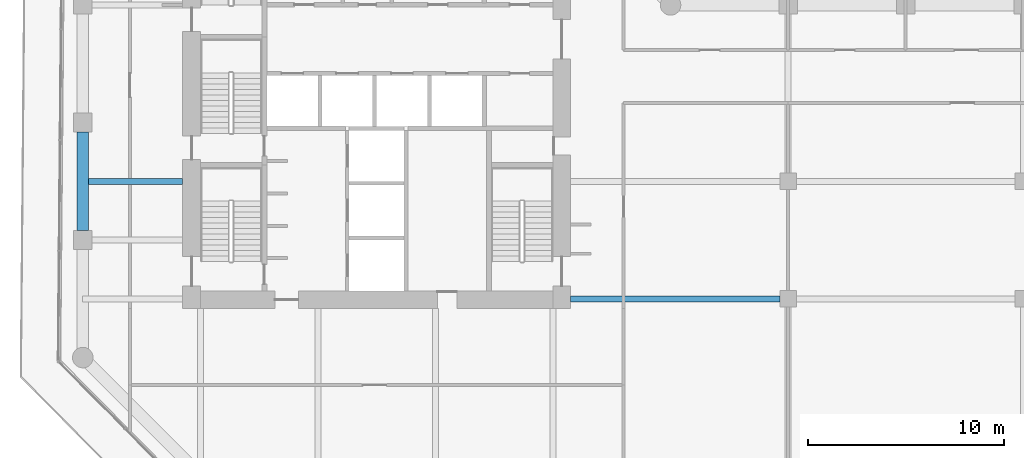
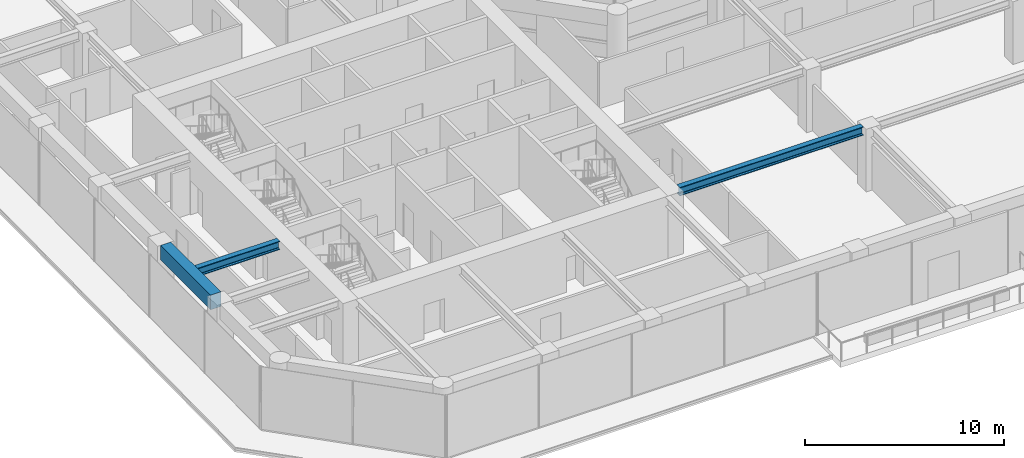
# One storey, part 4 of 29: 3 beams.
"""IFC4 building model written with IfcOpenShell, lengths in metres."""

from ifc_helpers import new_model, si_unit, direction, frame, origin, origin_2d, place, context, subcontext, project, spatial, rectangle, i_section, extrude, material, material_profile, profile_set, type_object, element, save


model = new_model("IFC4")

# Units and contexts
model_context = context("Model", 3, precision=1e-05, world=origin(), true_north=direction((0.0, 1.0)))
body_context = subcontext(model_context, "Body", "Model", "MODEL_VIEW")
ifc_project = project(units=[si_unit("LENGTHUNIT", "METRE"), si_unit("AREAUNIT", "SQUARE_METRE"), si_unit("VOLUMEUNIT", "CUBIC_METRE"), si_unit("PLANEANGLEUNIT", "RADIAN"), si_unit("MASSUNIT", "GRAM", prefix="KILO")], contexts=[model_context])

# Site, building, storey
site_placement = place(None, origin())
site = spatial("IfcSite", under=ifc_project, at=site_placement, CompositionType="ELEMENT")
building_placement = place(site_placement, origin())
building = spatial("IfcBuilding", under=site, at=building_placement, Name="Welwitschia Terrace Campus", CompositionType="ELEMENT")
storey_placement = place(building_placement, frame((0.0, 0.0, 50.0)))
storey = spatial("IfcBuildingStorey", under=building, at=storey_placement, Name="L11", CompositionType="ELEMENT", Elevation=50.0)

# Beams
ifc_material_1 = material(Name="Steel S355", Category="steel")
ifc_material_profile_1 = material_profile(ifc_material_1, i_section(OverallWidth=0.305908203125, OverallDepth=0.52392578125, WebThickness=0.02099609375, FlangeThickness=0.0400390625, FilletRadius=0.027099609375, at=origin_2d()))
ifc_profile_set_1 = profile_set([ifc_material_profile_1], Name="Steel S355")
beam_type_1 = type_object("IfcBeamType", Name="Interior girder HE 500 M", PredefinedType="BEAM", material=ifc_profile_set_1)
beam_1_placement = place(storey_placement, frame((24.90087890625, 5.0, 3.587890625), z_axis=(1.0, 0.0, 0.0), x_axis=(0.0, 1.0, 0.0)))
element("IfcBeam", 1, at=beam_1_placement, inside=storey, type_object=beam_type_1, Name="Girder GB2", PredefinedType="BEAM", context=body_context, shape_type="SweptSolid", body=[
    extrude(i_section(OverallWidth=0.305908203125, OverallDepth=0.52392578125, WebThickness=0.02099609375, FlangeThickness=0.0400390625, FilletRadius=0.027099609375, at=origin_2d()), origin(), (0.0, 0.0, 1.0), 10.673583984375),
])
beam_2_placement = place(storey_placement, frame((-0.010009765625, 11.0, 3.587890625), z_axis=(1.0, 0.0, 0.0), x_axis=(0.0, 1.0, 0.0)))
element("IfcBeam", 2, at=beam_2_placement, inside=storey, type_object=beam_type_1, Name="Girder GB2", PredefinedType="BEAM", context=body_context, shape_type="SweptSolid", body=[
    extrude(i_section(OverallWidth=0.305908203125, OverallDepth=0.52392578125, WebThickness=0.02099609375, FlangeThickness=0.0400390625, FilletRadius=0.027099609375, at=origin_2d()), origin(), (0.0, 0.0, 1.0), 5.109130859375),
])
ifc_material_2 = material(Name="Concrete C60/75", Category="concrete")
ifc_material_profile_2 = material_profile(ifc_material_2, rectangle(XDim=0.60009765625, YDim=0.89990234375, at=origin_2d()))
ifc_profile_set_2 = profile_set([ifc_material_profile_2], Name="Concrete C60/75")
beam_type_2 = type_object("IfcBeamType", Name="Ring spandrel 600x900", PredefinedType="SPANDREL", material=ifc_profile_set_2)
beam_3_placement = place(storey_placement, frame((0.0, 13.5244140625, 3.39990234375), z_axis=(0.0, -1.0, 0.0), x_axis=(1.0, 0.0, 0.0)))
element("IfcBeam", 3, at=beam_3_placement, inside=storey, type_object=beam_type_2, Name="Spandrel SP2", PredefinedType="SPANDREL", context=body_context, shape_type="SweptSolid", body=[
    extrude(rectangle(XDim=0.60009765625, YDim=0.89990234375, at=origin_2d()), origin(), (0.0, 0.0, 1.0), 5.048828125),
])

save(model, "model.ifc")
